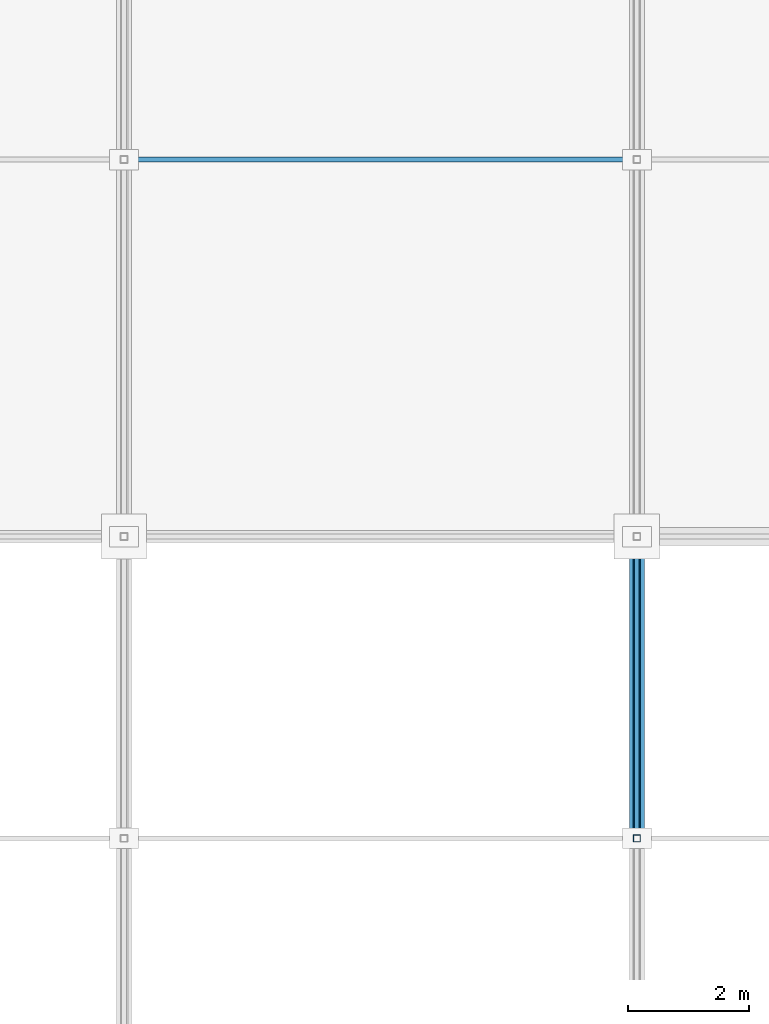
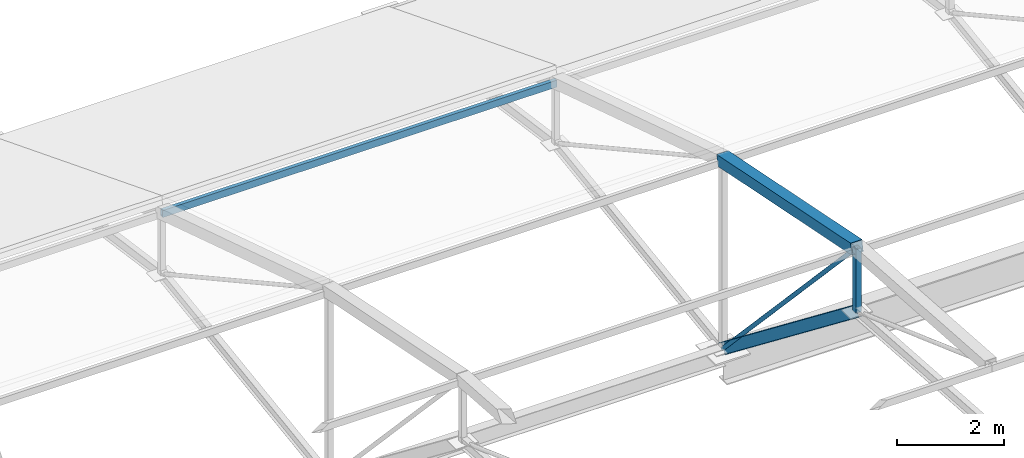
# One storey, part 33 of 66: 5 members.
"""IFC4 building model written with IfcOpenShell, lengths in metres."""

from ifc_helpers import new_model, si_unit, direction, frame, origin, origin_2d, place, context, subcontext, project, spatial, hollow_rectangle, hollow_circle, i_section, extrude, material, material_profile, profile_set, type_object, element, save


model = new_model("IFC4")

# Units and contexts
model_context = context("Model", 3, precision=1e-05, world=origin(), true_north=direction((0.0, 1.0)))
body_context = subcontext(model_context, "Body", "Model", "MODEL_VIEW")
ifc_project = project(units=[si_unit("LENGTHUNIT", "METRE"), si_unit("AREAUNIT", "SQUARE_METRE"), si_unit("VOLUMEUNIT", "CUBIC_METRE"), si_unit("PLANEANGLEUNIT", "RADIAN"), si_unit("MASSUNIT", "GRAM", prefix="KILO")], contexts=[model_context])

# Site, building, storey
site_placement = place(None, origin())
site = spatial("IfcSite", under=ifc_project, at=site_placement, CompositionType="ELEMENT")
building_placement = place(site_placement, origin())
building = spatial("IfcBuilding", under=site, at=building_placement, Name="Solvikara Media Centre", CompositionType="ELEMENT")
storey_placement = place(building_placement, frame((0.0, 0.0, 19.800048828125)))
storey = spatial("IfcBuildingStorey", under=building, at=storey_placement, Name="L04", CompositionType="ELEMENT", Elevation=19.800048828125)

# Members
ifc_material = material(Name="Steel S355JR", Category="steel")
ifc_material_profile_1 = material_profile(ifc_material, hollow_circle(Radius=0.04443359375, WallThickness=0.0048828125, at=origin_2d()), Name="CHS 88.9x5")
ifc_profile_set_1 = profile_set([ifc_material_profile_1], Name="Steel S355JR")
member_type_1 = type_object("IfcMemberType", Name="MB-10", PredefinedType="BRACE", material=ifc_profile_set_1)
member_1_placement = place(storey_placement, frame((17.0, 101.5, -0.150146484375), z_axis=(0.0, -0.68381339208, 0.729656936383), x_axis=(1.0, 0.0, 0.0)))
element("IfcMember", 1, at=member_1_placement, inside=storey, type_object=member_type_1, Name="AM-DG-02-02", PredefinedType="BRACE", context=body_context, shape_type="SweptSolid", body=[
    extrude(hollow_circle(Radius=0.04443359375, WallThickness=0.0048828125, at=origin_2d()), origin(), (0.0, 0.0, 1.0), 7.31201171875),
])
ifc_material_profile_2 = material_profile(ifc_material, hollow_rectangle(XDim=0.25, YDim=0.25, WallThickness=0.010009765625, at=origin_2d()), Name="RHS 250x250x10")
ifc_profile_set_2 = profile_set([ifc_material_profile_2], Name="Steel S355JR")
member_type_2 = type_object("IfcMemberType", Name="MB-12", PredefinedType="CHORD", material=ifc_profile_set_2)
member_2_placement = place(storey_placement, frame((17.0, 101.5, 4.177978515625), z_axis=(0.0, -0.980312817606, 0.197450701788), x_axis=(1.0, 0.0, 0.0)))
element("IfcMember", 2, at=member_2_placement, inside=storey, type_object=member_type_2, Name="AM-TC-02-02", PredefinedType="CHORD", context=body_context, shape_type="SweptSolid", body=[
    extrude(hollow_rectangle(XDim=0.25, YDim=0.25, WallThickness=0.010009765625, at=origin_2d()), origin(), (0.0, 0.0, 1.0), 5.100341796875),
])
ifc_material_profile_3 = material_profile(ifc_material, hollow_rectangle(XDim=0.080078125, YDim=0.159912109375, WallThickness=0.0048828125, at=origin_2d()), Name="RHS 160x80x5")
ifc_profile_set_3 = profile_set([ifc_material_profile_3], Name="Steel S355JR")
member_type_3 = type_object("IfcMemberType", Name="MB-19", PredefinedType="PURLIN", material=ifc_profile_set_3)
member_3_placement = place(storey_placement, frame((8.5, 107.75, 2.120849609375), z_axis=(1.0, 0.0, 0.0), x_axis=(0.0, 1.0, 0.0)))
element("IfcMember", 3, at=member_3_placement, inside=storey, type_object=member_type_3, Name="AM-PRL-01-01", PredefinedType="PURLIN", context=body_context, shape_type="SweptSolid", body=[
    extrude(hollow_rectangle(XDim=0.080078125, YDim=0.159912109375, WallThickness=0.0048828125, at=origin_2d()), origin(), (0.0, 0.0, 1.0), 8.5),
])
ifc_material_profile_4 = material_profile(ifc_material, i_section(OverallWidth=0.1240234375, OverallDepth=0.248046875, WebThickness=0.0048828125, FlangeThickness=0.008056640625, at=origin_2d()), Name="WF 248x124x5x8")
ifc_profile_set_4 = profile_set([ifc_material_profile_4], Name="Steel S355JR")
member_type_4 = type_object("IfcMemberType", Name="MB-23", PredefinedType="STRINGER", material=ifc_profile_set_4)
member_4_placement = place(storey_placement, frame((17.0, 101.5, -0.150146484375), z_axis=(0.0, -0.789649014603, 0.61355882663), x_axis=(1.0, 0.0, 0.0)))
element("IfcMember", 4, at=member_4_placement, inside=storey, type_object=member_type_4, Name="AM-BC-02-02", PredefinedType="STRINGER", context=body_context, shape_type="SweptSolid", body=[
    extrude(i_section(OverallWidth=0.1240234375, OverallDepth=0.248046875, WebThickness=0.0048828125, FlangeThickness=0.008056640625, at=origin_2d()), origin(), (0.0, 0.0, 1.0), 6.33203125),
])
ifc_material_profile_5 = material_profile(ifc_material, hollow_rectangle(XDim=0.1201171875, YDim=0.1201171875, WallThickness=0.006103515625, at=origin_2d()), Name="RHS 120x120x6")
ifc_profile_set_5 = profile_set([ifc_material_profile_5], Name="Steel S355JR")
member_type_5 = type_object("IfcMemberType", Name="MB-24", PredefinedType="POST", material=ifc_profile_set_5)
member_5_placement = place(storey_placement, frame((17.0, 96.5, 3.73486328125), z_axis=(0.0, 0.0, 1.0), x_axis=(1.0, 0.0, 0.0)))
element("IfcMember", 5, at=member_5_placement, inside=storey, type_object=member_type_5, Name="AM-VT-02-03", PredefinedType="POST", context=body_context, shape_type="SweptSolid", body=[
    extrude(hollow_rectangle(XDim=0.1201171875, YDim=0.1201171875, WallThickness=0.006103515625, at=origin_2d()), origin(), (0.0, 0.0, 1.0), 1.4501953125),
])

save(model, "model.ifc")
